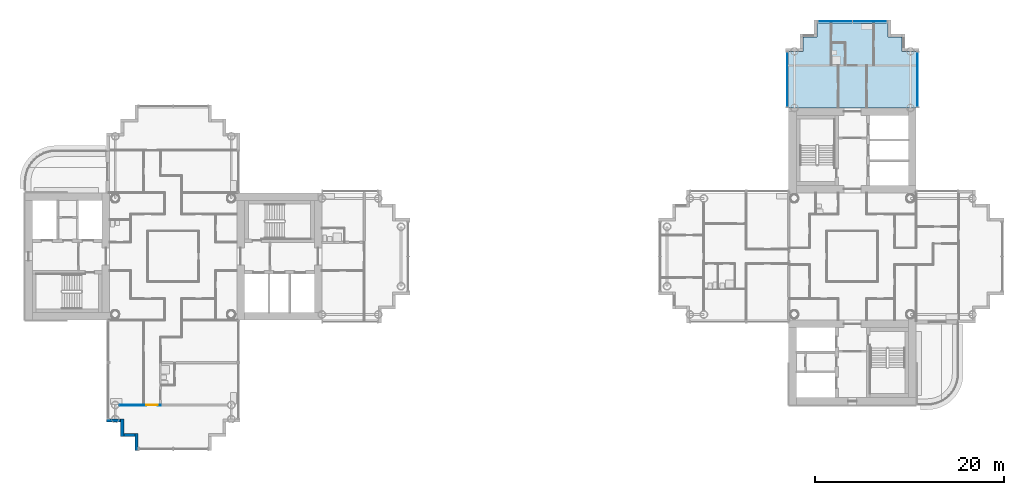
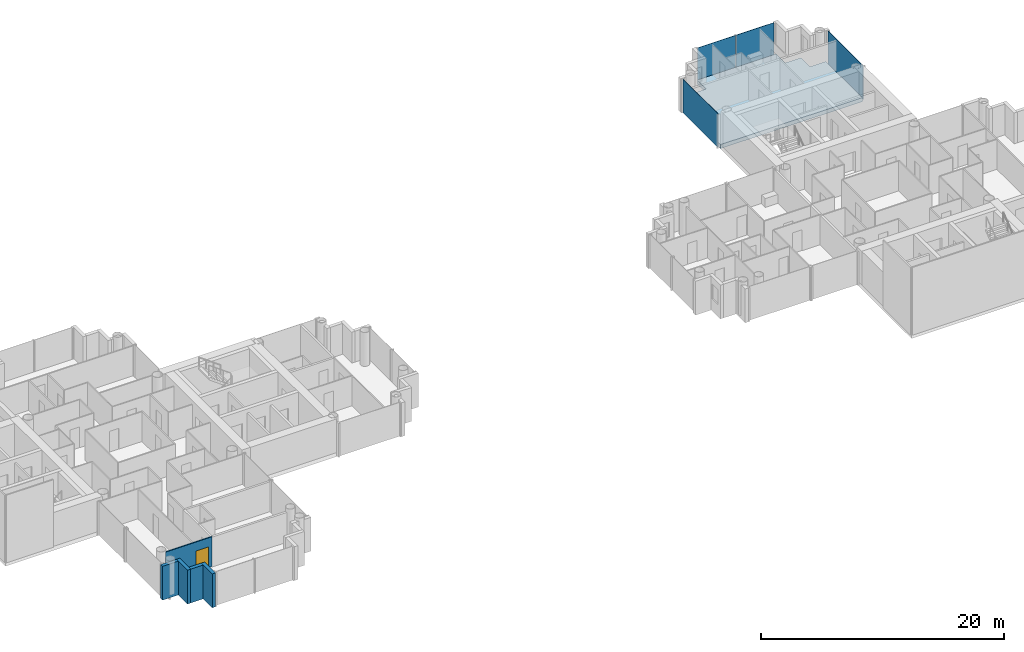
# One storey, part 6 of 20: 5 walls, 4 plates, 1 door, 1 slab, 1 opening, 3 elements without a shape of their own.
"""IFC4 building model written with IfcOpenShell, lengths in metres."""

import ifcopenshell
import ifcopenshell.guid

model = None  # the IFC model being written
_history = None  # IfcOwnerHistory: only IFC2X3 demands one
_inside = {}  # id of a spatial element -> (the spatial element, [elements in it])
_under = {}  # id of a project, library or spatial element -> (it, [spatial elements below it])
_declared = {}  # id of a project -> (the project, [libraries it declares])
_typed = {}  # id of a type object -> (the type object, [elements of that type])
_made_of = {}  # id of a material, layer set ... -> (it, [elements and type objects made of it])


def new_model(schema):
    """Start an empty IFC model of exactly this schema.

    Asked for "IFC4X3", IfcOpenShell would pick the latest addendum, in which some entities
    have other attributes; the version numbers below select the first issue.
    IFC2X3 requires an IfcOwnerHistory on every rooted entity: one is made here for all.
    """
    global model, _history
    if schema == "IFC4X3":
        model = ifcopenshell.file(schema_version=(4, 3, 0, 0))
    else:
        model = ifcopenshell.file(schema=schema)
    _inside.clear()
    _under.clear()
    _declared.clear()
    _typed.clear()
    _made_of.clear()
    _history = None
    if model.schema == "IFC2X3":
        org = make("IfcOrganization", Name="unknown")
        user = make(
            "IfcPersonAndOrganization",
            ThePerson=make("IfcPerson", FamilyName="unknown"),
            TheOrganization=org,
        )
        app = make(
            "IfcApplication",
            ApplicationDeveloper=org,
            Version="unknown",
            ApplicationFullName="unknown",
            ApplicationIdentifier="unknown",
        )
        _history = make(
            "IfcOwnerHistory",
            OwningUser=user,
            OwningApplication=app,
            ChangeAction="ADDED",
            CreationDate=0,
        )
    return model


def make(cls, **values):
    """One entity of the class cls with the attributes given. An attribute that is None is left unset."""
    return model.create_entity(
        cls, **{name: value for name, value in values.items() if value is not None}
    )


def rooted(cls, **values):
    """An entity with a GlobalId (a new one), such as an element, a storey or a relation."""
    return make(cls, GlobalId=ifcopenshell.guid.new(), OwnerHistory=_history, **values)


def si_unit(unit_type, name, prefix=None):
    """IfcSIUnit, for example si_unit("LENGTHUNIT", "METRE", prefix="MILLI")."""
    return make("IfcSIUnit", UnitType=unit_type, Prefix=prefix, Name=name)


def assignment(units):
    """IfcUnitAssignment: the units of a project."""
    return None if units is None else make("IfcUnitAssignment", Units=units)


def point(xyz):
    """IfcCartesianPoint."""
    return None if xyz is None else make("IfcCartesianPoint", Coordinates=xyz)


def direction(xyz):
    """IfcDirection."""
    return None if xyz is None else make("IfcDirection", DirectionRatios=xyz)


def frame(location, z_axis=None, x_axis=None):
    """IfcAxis2Placement3D, a coordinate frame: its origin and axes. An axis left out is left unset."""
    return make(
        "IfcAxis2Placement3D",
        Location=point(location),
        Axis=direction(z_axis),
        RefDirection=direction(x_axis),
    )


def frame_2d(location, x_axis=None):
    """IfcAxis2Placement2D, a coordinate frame in the plane: its origin and x axis."""
    return make(
        "IfcAxis2Placement2D", Location=point(location), RefDirection=direction(x_axis)
    )


def origin():
    """The frame at (0, 0, 0) with its axes left unset."""
    return frame((0.0, 0.0, 0.0))


def origin_2d():
    """The frame at (0, 0) in the plane with its x axis left unset."""
    return frame_2d((0.0, 0.0))


def place(relative_to, where):
    """IfcLocalPlacement: puts the frame where relative to a parent placement (None: the world)."""
    return make(
        "IfcLocalPlacement", PlacementRelTo=relative_to, RelativePlacement=where
    )


def context(
    kind, dimensions, precision=None, world=None, true_north=None, identifier=None
):
    """IfcGeometricRepresentationContext, for example the 3D "Model" context."""
    return make(
        "IfcGeometricRepresentationContext",
        ContextIdentifier=identifier,
        ContextType=kind,
        CoordinateSpaceDimension=dimensions,
        Precision=precision,
        WorldCoordinateSystem=world,
        TrueNorth=true_north,
    )


def subcontext(parent, identifier, kind, view, scale=None):
    """IfcGeometricRepresentationSubContext, for example "Body" below "Model"."""
    return make(
        "IfcGeometricRepresentationSubContext",
        ContextIdentifier=identifier,
        ContextType=kind,
        ParentContext=parent,
        TargetScale=scale,
        TargetView=view,
    )


def project(units=None, contexts=None):
    """IfcProject with its units and contexts."""
    return rooted(
        "IfcProject",
        Name="project",
        RepresentationContexts=contexts,
        UnitsInContext=assignment(units),
    )


def spatial(cls, under=None, at=None, **own):
    """A site, building, storey or space (cls), placed at a placement, below another one or the project."""
    s = rooted(cls, ObjectPlacement=at, **own)
    if under is not None:
        _under.setdefault(under.id(), (under, []))[1].append(s)
    return s


def polyline(points):
    """IfcPolyline through the points."""
    return make("IfcPolyline", Points=[point(p) for p in points])


def profile(cls, at=None, kind="AREA", **sizes):
    """A parametric profile (cls). Its sizes go by their IFC names, for example OverallWidth=200.0."""
    return make(cls, ProfileType=kind, Position=at, **sizes)


def rectangle(**sizes):
    """IfcRectangleProfileDef."""
    return profile("IfcRectangleProfileDef", **sizes)


def outline(outer, holes=None, kind="AREA"):
    """IfcArbitraryClosedProfileDef: a profile drawn as a closed curve; with holes, ...WithVoids."""
    if holes is None:
        return make("IfcArbitraryClosedProfileDef", ProfileType=kind, OuterCurve=outer)
    return make(
        "IfcArbitraryProfileDefWithVoids",
        ProfileType=kind,
        OuterCurve=outer,
        InnerCurves=holes,
    )


def extrude(swept, where, along, depth):
    """IfcExtrudedAreaSolid: the profile swept, set in the frame where, extruded along a direction by depth."""
    return make(
        "IfcExtrudedAreaSolid",
        SweptArea=swept,
        Position=where,
        ExtrudedDirection=direction(along),
        Depth=depth,
    )


def shape(context_of_items, identifier, shape_type, items):
    """IfcShapeRepresentation: the items that make up one representation, for example the "Body"."""
    return make(
        "IfcShapeRepresentation",
        ContextOfItems=context_of_items,
        RepresentationIdentifier=identifier,
        RepresentationType=shape_type,
        Items=items,
    )


def material(Name=None, Category=None):
    """IfcMaterial."""
    return make("IfcMaterial", Name=Name, Category=Category)


def layer(
    of_material, thickness, ventilated=None, Name=None, Category=None, Priority=None
):
    """IfcMaterialLayer: one layer of a wall or slab, of a material (None: an air gap)."""
    return make(
        "IfcMaterialLayer",
        Material=of_material,
        LayerThickness=thickness,
        IsVentilated=ventilated,
        Name=Name,
        Category=Category,
        Priority=Priority,
    )


def layer_set(layers, Name=None):
    """IfcMaterialLayerSet."""
    return make("IfcMaterialLayerSet", MaterialLayers=layers, LayerSetName=Name)


def made_of(thing, what):
    """Note that an element or type object is made of a material, layer set ...; save() writes the relation."""
    if what is not None:
        _made_of.setdefault(what.id(), (what, []))[1].append(thing)
    return thing


def type_object(cls, material=None, **own):
    """A type object (cls), such as IfcWallType, which elements share."""
    return made_of(rooted(cls, **own), material)


def element(
    cls,
    number,
    at=None,
    inside=None,
    cuts=None,
    type_object=None,
    material=None,
    context=None,
    identifier="Body",
    shape_type=None,
    held_by="IfcProductDefinitionShape",
    body=None,
    shapes=None,
    **own,
):
    """One element of the class cls, such as IfcWall. Its Tag is "e" and its number.

    at: its placement. inside: the storey or other place that contains it. cuts: it is an
    opening in that element (IfcRelVoidsElement). A single representation is given by context,
    identifier, shape_type and body (its items); several are given by shapes. held_by: the class
    of the entity that holds the representations. save() writes the other relations.
    """
    e = rooted(cls, Tag="e%d" % number, ObjectPlacement=at, **own)
    if body is not None:
        shapes = [shape(context, identifier, shape_type, body)]
    if shapes is not None:
        e.Representation = make(held_by, Representations=shapes)
    if inside is not None:
        _inside.setdefault(inside.id(), (inside, []))[1].append(e)
    if cuts is not None:
        rooted(
            "IfcRelVoidsElement", RelatingBuildingElement=cuts, RelatedOpeningElement=e
        )
    if type_object is not None:
        _typed.setdefault(type_object.id(), (type_object, []))[1].append(e)
    return made_of(e, material)


def fill(opening, filler):
    """IfcRelFillsElement: the door or window that sits in an opening."""
    return rooted(
        "IfcRelFillsElement",
        RelatingOpeningElement=opening,
        RelatedBuildingElement=filler,
    )


def aggregate(whole, parts):
    """IfcRelAggregates: a whole, such as a stair, and the parts it consists of."""
    return rooted("IfcRelAggregates", RelatingObject=whole, RelatedObjects=parts)


def save(model, path):
    """Write the relations noted so far, then the file.

    IfcRelAggregates (storeys below a building ...), IfcRelContainedInSpatialStructure (elements
    in a storey), IfcRelDefinesByType, IfcRelAssociatesMaterial and IfcRelDeclares: one each for
    every whole, place, type object, material and project.
    """
    for whole, parts in _under.values():
        aggregate(whole, parts)
    for where, things in _inside.values():
        rooted(
            "IfcRelContainedInSpatialStructure",
            RelatedElements=things,
            RelatingStructure=where,
        )
    for kind, things in _typed.values():
        rooted("IfcRelDefinesByType", RelatedObjects=things, RelatingType=kind)
    for what, things in _made_of.values():
        rooted("IfcRelAssociatesMaterial", RelatedObjects=things, RelatingMaterial=what)
    for by, libraries in _declared.values():
        rooted("IfcRelDeclares", RelatingContext=by, RelatedDefinitions=libraries)
    model.write(path)


model = new_model("IFC4")

# Units and contexts
model_context = context("Model", 3, precision=1e-05, world=origin(), true_north=direction((0.0, 1.0)))
body_context = subcontext(model_context, "Body", "Model", "MODEL_VIEW")
ifc_project = project(units=[si_unit("LENGTHUNIT", "METRE"), si_unit("AREAUNIT", "SQUARE_METRE"), si_unit("VOLUMEUNIT", "CUBIC_METRE"), si_unit("PLANEANGLEUNIT", "RADIAN"), si_unit("MASSUNIT", "GRAM", prefix="KILO")], contexts=[model_context])

# Site, building, storey
site_placement = place(None, origin())
site = spatial("IfcSite", under=ifc_project, at=site_placement, CompositionType="ELEMENT")
building_placement = place(site_placement, origin())
building = spatial("IfcBuilding", under=site, at=building_placement, Name="Ipe Terrace Towers", CompositionType="ELEMENT")
storey_placement = place(building_placement, frame((0.0, 0.0, 154.10009765625)))
storey = spatial("IfcBuildingStorey", under=building, at=storey_placement, Name="L42", CompositionType="ELEMENT", Elevation=154.10009765625)

# Slab
ifc_material_1 = material(Name="Concrete C40/50", Category="concrete")
ifc_layer_1 = layer(ifc_material_1, 0.39990234375)
ifc_layer_set_1 = layer_set([ifc_layer_1], Name="FLAT PLATE SLAB 400 C40-50")
slab_type = type_object("IfcSlabType", Name="FLAT PLATE SLAB 400 C40-50", PredefinedType="FLOOR", material=ifc_layer_set_1)
slab_placement = place(storey_placement, frame((0.0, 0.0, -0.400146484375)))
element("IfcSlab", 1, at=slab_placement, inside=storey, type_object=slab_type, Name="Slab T2-FS-Z32", PredefinedType="FLOOR", context=body_context, shape_type="SweptSolid", body=[
    extrude(outline(polyline([(30.75, 21.75), (30.75, 23.25), (32.25, 23.25), (32.25, 24.75), (39.75, 24.75), (39.75, 23.25), (41.25, 23.25), (41.25, 21.75), (42.75, 21.75), (42.75, 15.75), (29.25, 15.75), (29.25, 21.75), (30.75, 21.75)])), origin(), (0.0, 0.0, 1.0), 0.400146484375),
])

# Curtain wall, plate
ifc_material_2 = material(Name="Aluminium alloy 6063-T6", Category="aluminium")
ifc_layer_2 = layer(ifc_material_2, 0.320068359375)
ifc_layer_set_2 = layer_set([ifc_layer_2], Name="TOWER UNITISED CURTAIN WALL")
curtain_wall_type = type_object("IfcCurtainWallType", Name="TOWER UNITISED CURTAIN WALL", PredefinedType="NOTDEFINED", material=ifc_layer_set_2)
curtain_wall_1_placement = place(storey_placement, origin())
curtain_wall_1 = element("IfcCurtainWall", 2, at=curtain_wall_1_placement, inside=storey, type_object=curtain_wall_type, Name="T2-CW-L42-16b curtain wall", PredefinedType="NOTDEFINED")
ifc_material_3 = material(Name="Glass, clear laminated", Category="glass")
ifc_layer_3 = layer(ifc_material_3, 0.031982421875)
ifc_layer_set_3 = layer_set([ifc_layer_3], Name="TOWER UNITISED GLASS PANEL 32")
plate_type = type_object("IfcPlateType", Name="TOWER UNITISED GLASS PANEL 32", PredefinedType="CURTAIN_PANEL", material=ifc_layer_set_3)
plate_1_placement = place(storey_placement, frame((42.909912109375, 18.75048828125, -0.300048828125), z_axis=(0.0, 0.0, 1.0), x_axis=(0.0, 1.0, 0.0)))
plate_1 = element("IfcPlate", 3, at=plate_1_placement, type_object=plate_type, Name="T2-CW-L42-16b panel 1", PredefinedType="CURTAIN_PANEL", context=body_context, shape_type="SweptSolid", body=[
    extrude(rectangle(XDim=5.759033203125, YDim=0.031982421875, at=origin_2d()), origin(), (0.0, 0.0, 1.0), 3.39990234375),
])
aggregate(curtain_wall_1, [plate_1])

# Curtain wall, plates
curtain_wall_2_placement = place(storey_placement, origin())
curtain_wall_2 = element("IfcCurtainWall", 4, at=curtain_wall_2_placement, inside=storey, type_object=curtain_wall_type, Name="T2-CW-L42-21a curtain wall", PredefinedType="NOTDEFINED")
plate_2_placement = place(storey_placement, frame((37.831298828125, 24.909912109375, -0.300048828125), z_axis=(0.0, 0.0, 1.0), x_axis=(-1.0, 0.0, 0.0)))
plate_2 = element("IfcPlate", 5, at=plate_2_placement, type_object=plate_type, Name="T2-CW-L42-21a panel 1", PredefinedType="CURTAIN_PANEL", context=body_context, shape_type="SweptSolid", body=[
    extrude(rectangle(XDim=3.597412109375, YDim=0.031982421875, at=origin_2d()), origin(), (0.0, 0.0, 1.0), 3.39990234375),
])
plate_3_placement = place(storey_placement, frame((34.168701171875, 24.909912109375, -0.300048828125), z_axis=(0.0, 0.0, 1.0), x_axis=(-1.0, 0.0, 0.0)))
plate_3 = element("IfcPlate", 6, at=plate_3_placement, type_object=plate_type, Name="T2-CW-L42-21a panel 2", PredefinedType="CURTAIN_PANEL", context=body_context, shape_type="SweptSolid", body=[
    extrude(rectangle(XDim=3.597412109375, YDim=0.031982421875, at=origin_2d()), origin(), (0.0, 0.0, 1.0), 3.39990234375),
])
aggregate(curtain_wall_2, [plate_2, plate_3])

# Curtain wall, plate
curtain_wall_3_placement = place(storey_placement, origin())
curtain_wall_3 = element("IfcCurtainWall", 7, at=curtain_wall_3_placement, inside=storey, type_object=curtain_wall_type, Name="T2-CW-L42-26a curtain wall", PredefinedType="NOTDEFINED")
plate_4_placement = place(storey_placement, frame((29.090087890625, 18.75048828125, -0.300048828125), z_axis=(0.0, 0.0, 1.0), x_axis=(0.0, -1.0, 0.0)))
plate_4 = element("IfcPlate", 8, at=plate_4_placement, type_object=plate_type, Name="T2-CW-L42-26a panel 1", PredefinedType="CURTAIN_PANEL", context=body_context, shape_type="SweptSolid", body=[
    extrude(rectangle(XDim=5.759033203125, YDim=0.031982421875, at=origin_2d()), origin(), (0.0, 0.0, 1.0), 3.39990234375),
])
aggregate(curtain_wall_3, [plate_4])

# Walls
ifc_material_4 = material(Name="Concrete C40/50 with buff precast cladding", Category="concrete")
ifc_layer_4 = layer(ifc_material_4, 0.320068359375)
ifc_layer_set_4 = layer_set([ifc_layer_4], Name="BUFF CLADDING WALL 320")
wall_type_1 = type_object("IfcWallType", Name="BUFF CLADDING WALL 320", PredefinedType="STANDARD", material=ifc_layer_set_4)
wall_1_placement = place(storey_placement, frame((-43.070068359375, -17.409912109375, -0.300048828125), z_axis=(0.0, 0.0, 1.0), x_axis=(1.0, 0.0, 0.0)))
element("IfcWall", 9, at=wall_1_placement, inside=storey, type_object=wall_type_1, Name="T1-W-L42-04a wall", PredefinedType="STANDARD", context=body_context, shape_type="SweptSolid", body=[
    extrude(rectangle(XDim=1.5, YDim=0.320068359375, at=frame_2d((0.75, 0.0))), origin(), (0.0, 0.0, 1.0), 3.39990234375),
])
wall_2_placement = place(storey_placement, frame((-41.409912109375, -17.25, -0.300048828125), z_axis=(0.0, 0.0, 1.0), x_axis=(0.0, -1.0, 0.0)))
element("IfcWall", 10, at=wall_2_placement, inside=storey, type_object=wall_type_1, Name="T1-W-L42-05a wall", PredefinedType="STANDARD", context=body_context, shape_type="SweptSolid", body=[
    extrude(rectangle(XDim=1.820068359375, YDim=0.320068359375, at=frame_2d((0.91015625, 0.0))), origin(), (0.0, 0.0, 1.0), 3.39990234375),
])
wall_3_placement = place(storey_placement, frame((-41.25, -18.909912109375, -0.300048828125), z_axis=(0.0, 0.0, 1.0), x_axis=(1.0, 0.0, 0.0)))
element("IfcWall", 11, at=wall_3_placement, inside=storey, type_object=wall_type_1, Name="T1-W-L42-06a wall", PredefinedType="STANDARD", context=body_context, shape_type="SweptSolid", body=[
    extrude(rectangle(XDim=1.179931640625, YDim=0.320068359375, at=frame_2d((0.58984375, 0.0))), origin(), (0.0, 0.0, 1.0), 3.39990234375),
])
wall_4_placement = place(storey_placement, frame((-39.909912109375, -18.75, -0.300048828125), z_axis=(0.0, 0.0, 1.0), x_axis=(0.0, -1.0, 0.0)))
element("IfcWall", 12, at=wall_4_placement, inside=storey, type_object=wall_type_1, Name="T1-W-L42-07a wall", PredefinedType="STANDARD", context=body_context, shape_type="SweptSolid", body=[
    extrude(rectangle(XDim=1.820068359375, YDim=0.320068359375, at=frame_2d((0.91015625, 0.0))), origin(), (0.0, 0.0, 1.0), 3.39990234375),
])

# Wall, opening, door
ifc_material_5 = material(Name="Gypsum board partition", Category="plasterboard")
ifc_layer_5 = layer(ifc_material_5, 0.10009765625)
ifc_layer_set_5 = layer_set([ifc_layer_5], Name="Gypsum board partition 100 mm")
wall_type_2 = type_object("IfcWallType", Name="Gypsum board partition 100 mm", PredefinedType="PARTITIONING", material=ifc_layer_set_5)
wall_5_placement = place(storey_placement, frame((-41.75, -15.75, 0.0), z_axis=(0.0, 0.0, 1.0), x_axis=(1.0, 0.0, 0.0)))
wall_5 = element("IfcWall", 13, at=wall_5_placement, inside=storey, type_object=wall_type_2, Name="Gypsum board partition T1 L42 W20", PredefinedType="PARTITIONING", context=body_context, shape_type="SweptSolid", body=[
    extrude(rectangle(XDim=4.39990234375, YDim=0.10009765625, at=frame_2d((2.199951171875, 0.0))), origin(), (0.0, 0.0, 1.0), 3.0),
])
opening_placement = place(wall_5_placement, frame((2.89990234375, 0.0, 0.0)))
opening = element("IfcOpeningElement", 14, at=opening_placement, cuts=wall_5, Name="Opening T1-Z3C-17", PredefinedType="OPENING", context=body_context, shape_type="SweptSolid", body=[
    extrude(rectangle(XDim=1.199951171875, YDim=2.10009765625, at=frame_2d((0.60009765625, 1.050048828125))), frame((0.0, 0.06005859375, 0.0), z_axis=(0.0, -1.0, 0.0), x_axis=(1.0, 0.0, 0.0)), (0.0, 0.0, 1.0), 0.1201171875),
])
ifc_material_6 = material(Name="Timber door leaf", Category="wood")
door_type = type_object("IfcDoorType", Name="Lounge door 1200 x 2100", OperationType="NOTDEFINED", PredefinedType="DOOR", material=ifc_material_6)
door_placement = place(opening_placement, origin())
door = element("IfcDoor", 15, at=door_placement, inside=storey, type_object=door_type, Name="Lounge door T1-Z3C-17", OperationType="SINGLE_SWING_RIGHT", OverallHeight=2.10009765625, OverallWidth=1.199951171875, PredefinedType="DOOR", context=body_context, shape_type="SweptSolid", body=[
    extrude(rectangle(XDim=1.199951171875, YDim=2.10009765625, at=frame_2d((0.60009765625, 1.050048828125))), frame((0.0, 0.02490234375, 0.0), z_axis=(0.0, -1.0, 0.0), x_axis=(1.0, 0.0, 0.0)), (0.0, 0.0, 1.0), 0.050048828125),
])
fill(opening, door)

save(model, "model.ifc")
